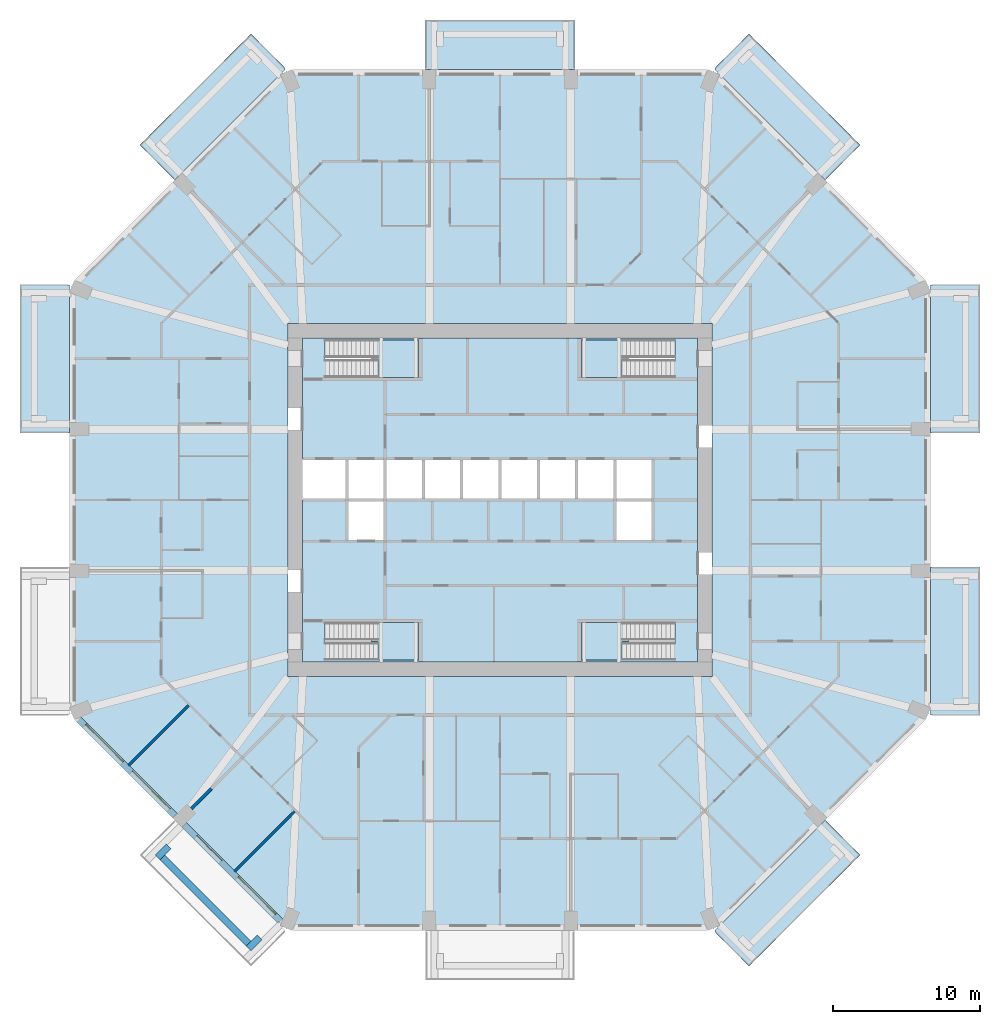
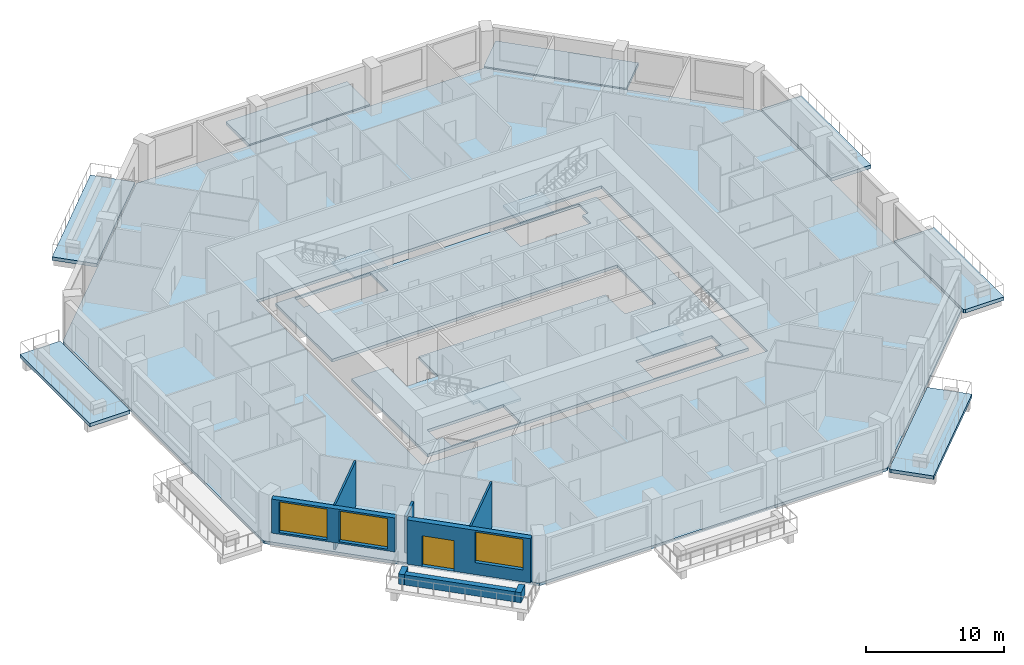
# One storey, part 2 of 13: 13 slabs, 8 walls, 3 windows, 1 door, 4 openings, 4 elements without a shape of their own.
"""IFC4 building model written with IfcOpenShell, lengths in metres."""

from ifc_helpers import new_model, si_unit, direction, frame, frame_2d, origin, place, context, subcontext, project, spatial, polyline, rectangle, outline, extrude, material, layer, layer_set, type_object, element, fill, aggregate, save


model = new_model("IFC4")

# Units and contexts
model_context = context("Model", 3, precision=1e-05, world=origin(), true_north=direction((0.0, 1.0)))
body_context = subcontext(model_context, "Body", "Model", "MODEL_VIEW")
ifc_project = project(units=[si_unit("LENGTHUNIT", "METRE"), si_unit("AREAUNIT", "SQUARE_METRE"), si_unit("VOLUMEUNIT", "CUBIC_METRE"), si_unit("PLANEANGLEUNIT", "RADIAN"), si_unit("MASSUNIT", "GRAM", prefix="KILO")], contexts=[model_context])

# Site, building, storey
site_placement = place(None, origin())
site = spatial("IfcSite", under=ifc_project, at=site_placement, CompositionType="ELEMENT")
building_placement = place(site_placement, origin())
building = spatial("IfcBuilding", under=site, at=building_placement, Name="Msitu Wima Residences", CompositionType="ELEMENT")
storey_placement = place(building_placement, frame((0.0, 0.0, 33.89990234375)))
storey = spatial("IfcBuildingStorey", under=building, at=storey_placement, Name="L07", CompositionType="ELEMENT", Elevation=33.89990234375)

# Slabs
ifc_material_1 = material(Name="Concrete C40/50", Category="concrete")
ifc_layer_1 = layer(ifc_material_1, 0.300048828125)
ifc_layer_set_1 = layer_set([ifc_layer_1], Name="Concrete C40/50")
slab_type_1 = type_object("IfcSlabType", Name="Balcony slab BS300", PredefinedType="FLOOR", material=ifc_layer_set_1)
slab_1_placement = place(storey_placement, frame((0.0, 0.0, -0.2998046875)))
element("IfcSlab", 1, at=slab_1_placement, inside=storey, type_object=slab_type_1, Name="Balcony E0 L07", PredefinedType="FLOOR", context=body_context, shape_type="SweptSolid", body=[
    extrude(outline(polyline([(29.25, -14.099365234375), (29.25, -14.099365234375), (29.25, -5.25), (29.25, -4.550048828125), (32.60009765625, -4.550048828125), (32.60009765625, -14.64990234375), (29.403564453125, -14.64990234375), (29.25, -14.58642578125), (29.25, -14.099365234375), (29.25, -14.099365234375)])), origin(), (0.0, 0.0, 1.0), 0.2998046875),
])
slab_2_placement = place(storey_placement, frame((0.0, 0.0, -0.2998046875)))
element("IfcSlab", 2, at=slab_2_placement, inside=storey, type_object=slab_type_1, Name="Balcony E2 L07", PredefinedType="FLOOR", context=body_context, shape_type="SweptSolid", body=[
    extrude(outline(polyline([(29.25, 14.099365234375), (29.25, 14.099365234375), (29.25, 14.099365234375), (29.25, 14.58642578125), (29.403564453125, 14.64990234375), (32.60009765625, 14.64990234375), (32.60009765625, 4.550048828125), (29.25, 4.550048828125), (29.25, 5.25), (29.25, 14.099365234375)])), origin(), (0.0, 0.0, 1.0), 0.2998046875),
])
slab_3_placement = place(storey_placement, frame((0.0, 0.0, -0.2998046875)))
element("IfcSlab", 3, at=slab_3_placement, inside=storey, type_object=slab_type_1, Name="Balcony NE1 L07", PredefinedType="FLOOR", context=body_context, shape_type="SweptSolid", body=[
    extrude(outline(polyline([(16.91015625, 31.663818359375), (24.4638671875, 24.1103515625), (22.094970703125, 21.741455078125), (14.58642578125, 29.25), (14.64990234375, 29.403564453125), (16.91015625, 31.663818359375)])), origin(), (0.0, 0.0, 1.0), 0.2998046875),
])
slab_4_placement = place(storey_placement, frame((0.0, 0.0, -0.2998046875)))
element("IfcSlab", 4, at=slab_4_placement, inside=storey, type_object=slab_type_1, Name="Balcony N1 L07", PredefinedType="FLOOR", context=body_context, shape_type="SweptSolid", body=[
    extrude(outline(polyline([(4.35009765625, 29.25), (-4.35009765625, 29.25), (-5.050048828125, 29.25), (-5.050048828125, 32.60009765625), (5.050048828125, 32.60009765625), (5.050048828125, 29.25), (4.35009765625, 29.25)])), origin(), (0.0, 0.0, 1.0), 0.2998046875),
])
slab_5_placement = place(storey_placement, frame((0.0, 0.0, -0.2998046875)))
element("IfcSlab", 5, at=slab_5_placement, inside=storey, type_object=slab_type_1, Name="Balcony NW0 L07", PredefinedType="FLOOR", context=body_context, shape_type="SweptSolid", body=[
    extrude(outline(polyline([(-24.4638671875, 24.1103515625), (-16.91015625, 31.663818359375), (-14.64990234375, 29.403564453125), (-14.58642578125, 29.25), (-22.094970703125, 21.741455078125), (-24.4638671875, 24.1103515625)])), origin(), (0.0, 0.0, 1.0), 0.2998046875),
])
slab_6_placement = place(storey_placement, frame((0.0, 0.0, -0.2998046875)))
element("IfcSlab", 6, at=slab_6_placement, inside=storey, type_object=slab_type_1, Name="Balcony W0 L07", PredefinedType="FLOOR", context=body_context, shape_type="SweptSolid", body=[
    extrude(outline(polyline([(-29.25, 14.099365234375), (-29.25, 14.099365234375), (-29.25, 5.25), (-29.25, 4.550048828125), (-32.60009765625, 4.550048828125), (-32.60009765625, 14.64990234375), (-29.403564453125, 14.64990234375), (-29.25, 14.58642578125), (-29.25, 14.099365234375), (-29.25, 14.099365234375)])), origin(), (0.0, 0.0, 1.0), 0.2998046875),
])
slab_7_placement = place(storey_placement, frame((0.0, 0.0, -0.2998046875)))
element("IfcSlab", 7, at=slab_7_placement, inside=storey, type_object=slab_type_1, Name="Balcony SE0 L07", PredefinedType="FLOOR", context=body_context, shape_type="SweptSolid", body=[
    extrude(outline(polyline([(24.4638671875, -24.1103515625), (16.91015625, -31.663818359375), (14.64990234375, -29.403564453125), (14.58642578125, -29.25), (22.094970703125, -21.741455078125), (24.4638671875, -24.1103515625)])), origin(), (0.0, 0.0, 1.0), 0.2998046875),
])
ifc_layer_2 = layer(ifc_material_1, 0.25)
ifc_layer_set_2 = layer_set([ifc_layer_2], Name="Concrete C40/50")
slab_type_2 = type_object("IfcSlabType", Name="Core floor CF250", PredefinedType="FLOOR", material=ifc_layer_set_2)
slab_8_placement = place(storey_placement, frame((0.0, 0.0, -0.25)))
element("IfcSlab", 8, at=slab_8_placement, inside=storey, type_object=slab_type_2, Name="Core floor", PredefinedType="FLOOR", context=body_context, shape_type="SweptSolid", body=[
    extrude(outline(polyline([(-13.39990234375, 11.0), (-13.39990234375, 2.800048828125), (-10.39990234375, 2.800048828125), (-7.800048828125, 2.800048828125), (-5.199951171875, 2.800048828125), (-2.60009765625, 2.800048828125), (0.0, 2.800048828125), (2.60009765625, 2.800048828125), (5.199951171875, 2.800048828125), (7.800048828125, 2.800048828125), (10.39990234375, 2.800048828125), (10.39990234375, 0.0), (10.39990234375, -2.800048828125), (7.800048828125, -2.800048828125), (7.800048828125, 0.0), (5.199951171875, 0.0), (2.60009765625, 0.0), (0.0, 0.0), (-2.60009765625, 0.0), (-5.199951171875, 0.0), (-7.800048828125, 0.0), (-7.800048828125, -2.800048828125), (-10.39990234375, -2.800048828125), (-10.39990234375, 0.0), (-13.39990234375, 0.0), (-13.39990234375, -11.0), (13.39990234375, -11.0), (13.39990234375, 11.0), (-13.39990234375, 11.0)]), holes=[polyline([(-11.375, -10.875), (-11.375, -9.675048828125), (-11.87451171875, -9.675048828125), (-11.87451171875, -8.324951171875), (-5.52490234375, -8.324951171875), (-5.52490234375, -10.875), (-11.375, -10.875)]), polyline([(-11.375, 9.52490234375), (-11.87451171875, 9.52490234375), (-11.87451171875, 10.875), (-5.52490234375, 10.875), (-5.52490234375, 8.324951171875), (-11.375, 8.324951171875), (-11.375, 9.52490234375)]), polyline([(11.375, -9.675048828125), (11.375, -10.875), (5.52490234375, -10.875), (5.52490234375, -8.324951171875), (11.87451171875, -8.324951171875), (11.87451171875, -9.675048828125), (11.375, -9.675048828125)]), polyline([(11.375, 9.52490234375), (11.375, 8.324951171875), (5.52490234375, 8.324951171875), (5.52490234375, 10.875), (11.87451171875, 10.875), (11.87451171875, 9.52490234375), (11.375, 9.52490234375)])]), origin(), (0.0, 0.0, 1.0), 0.25),
])
ifc_layer_3 = layer(ifc_material_1, 0.25)
ifc_layer_set_3 = layer_set([ifc_layer_3], Name="Concrete C40/50")
slab_type_3 = type_object("IfcSlabType", Name="PT flat slab 250 Concrete C40/50", PredefinedType="FLOOR", material=ifc_layer_set_3)
slab_9_placement = place(storey_placement, frame((0.0, 0.0, -0.25)))
element("IfcSlab", 9, at=slab_9_placement, inside=storey, type_object=slab_type_3, Name="Floor slab L07", PredefinedType="FLOOR", context=body_context, shape_type="SweptSolid", body=[
    extrude(outline(polyline([(29.10009765625, -14.524169921875), (14.524169921875, -29.10009765625), (-14.524169921875, -29.10009765625), (-29.10009765625, -14.524169921875), (-29.10009765625, 14.524169921875), (-14.524169921875, 29.10009765625), (14.524169921875, 29.10009765625), (29.10009765625, 14.524169921875), (29.10009765625, -14.524169921875)]), holes=[polyline([(-14.39990234375, -12.0), (14.39990234375, -12.0), (14.39990234375, 12.0), (-14.39990234375, 12.0), (-14.39990234375, -12.0)])]), origin(), (0.0, 0.0, 1.0), 0.25),
])

# Stair, slab
stair_type = type_object("IfcStairType", Name="Exit stair ES1615-120", PredefinedType="HALF_TURN_STAIR", material=ifc_material_1)
stair_1_placement = place(storey_placement, origin())
stair_1 = element("IfcStair", 10, at=stair_1_placement, inside=storey, type_object=stair_type, Name="Exit stair 1", PredefinedType="HALF_TURN_STAIR")
ifc_layer_4 = layer(ifc_material_1, 0.199951171875)
ifc_layer_set_4 = layer_set([ifc_layer_4], Name="Concrete C40/50")
slab_type_4 = type_object("IfcSlabType", Name="Stair landing SL200", PredefinedType="LANDING", material=ifc_layer_set_4)
slab_10_placement = place(storey_placement, frame((0.0, 0.0, 1.900146484375)))
slab_10 = element("IfcSlab", 11, at=slab_10_placement, type_object=slab_type_4, Name="S1 landing 1", PredefinedType="LANDING", context=body_context, shape_type="SweptSolid", body=[
    extrude(outline(polyline([(-5.52490234375, 8.324951171875), (-8.275390625, 8.324951171875), (-8.275390625, 9.60009765625), (-8.77490234375, 9.60009765625), (-8.77490234375, 10.875), (-5.52490234375, 10.875), (-5.52490234375, 8.324951171875)])), origin(), (0.0, 0.0, 1.0), 0.199951171875),
])
aggregate(stair_1, [slab_10])

stair_2_placement = place(storey_placement, origin())
stair_2 = element("IfcStair", 12, at=stair_2_placement, inside=storey, type_object=stair_type, Name="Exit stair 2", PredefinedType="HALF_TURN_STAIR")
slab_11_placement = place(storey_placement, frame((0.0, 0.0, 1.900146484375)))
slab_11 = element("IfcSlab", 13, at=slab_11_placement, type_object=slab_type_4, Name="S2 landing 1", PredefinedType="LANDING", context=body_context, shape_type="SweptSolid", body=[
    extrude(outline(polyline([(-5.52490234375, -10.875), (-8.275390625, -10.875), (-8.275390625, -9.60009765625), (-8.77490234375, -9.60009765625), (-8.77490234375, -8.324951171875), (-5.52490234375, -8.324951171875), (-5.52490234375, -10.875)])), origin(), (0.0, 0.0, 1.0), 0.199951171875),
])
aggregate(stair_2, [slab_11])

stair_3_placement = place(storey_placement, origin())
stair_3 = element("IfcStair", 14, at=stair_3_placement, inside=storey, type_object=stair_type, Name="Exit stair 3", PredefinedType="HALF_TURN_STAIR")
slab_12_placement = place(storey_placement, frame((0.0, 0.0, 1.900146484375)))
slab_12 = element("IfcSlab", 15, at=slab_12_placement, type_object=slab_type_4, Name="S3 landing 1", PredefinedType="LANDING", context=body_context, shape_type="SweptSolid", body=[
    extrude(outline(polyline([(5.52490234375, 8.324951171875), (8.275390625, 8.324951171875), (8.275390625, 9.60009765625), (8.77490234375, 9.60009765625), (8.77490234375, 10.875), (5.52490234375, 10.875), (5.52490234375, 8.324951171875)])), origin(), (0.0, 0.0, 1.0), 0.199951171875),
])
aggregate(stair_3, [slab_12])

stair_4_placement = place(storey_placement, origin())
stair_4 = element("IfcStair", 16, at=stair_4_placement, inside=storey, type_object=stair_type, Name="Exit stair 4", PredefinedType="HALF_TURN_STAIR")
slab_13_placement = place(storey_placement, frame((0.0, 0.0, 1.900146484375)))
slab_13 = element("IfcSlab", 17, at=slab_13_placement, type_object=slab_type_4, Name="S4 landing 1", PredefinedType="LANDING", context=body_context, shape_type="SweptSolid", body=[
    extrude(outline(polyline([(5.52490234375, -10.875), (8.275390625, -10.875), (8.275390625, -9.60009765625), (8.77490234375, -9.60009765625), (8.77490234375, -8.324951171875), (5.52490234375, -8.324951171875), (5.52490234375, -10.875)])), origin(), (0.0, 0.0, 1.0), 0.199951171875),
])
aggregate(stair_4, [slab_13])

# Walls
ifc_material_2 = material(Name="Facing brick")
ifc_layer_5 = layer(ifc_material_2, 0.06494140625, Name="Facing brick")
ifc_layer_6 = layer(ifc_material_1, 0.156005859375, Name="Concrete C40/50")
ifc_material_3 = material(Name="Waterproofing membrane")
ifc_layer_7 = layer(ifc_material_3, 0.00390625, Name="Waterproofing membrane")
ifc_material_4 = material(Name="Planting soil and planting")
ifc_layer_8 = layer(ifc_material_4, 0.22509765625, Name="Planting soil and planting")
ifc_layer_set_5 = layer_set([ifc_layer_5, ifc_layer_6, ifc_layer_7, ifc_layer_8], Name="Concrete C40/50")
wall_type_1 = type_object("IfcWallType", Name="Balcony planter PLANTER PL450", PredefinedType="USERDEFINED", material=ifc_layer_set_5)
wall_1_placement = place(storey_placement, frame((-22.92578125, -24.269287109375, 0.0), z_axis=(0.0, 0.0, 1.0), x_axis=(0.707106781187, -0.707106781187, 0.0)))
element("IfcWall", 18, at=wall_1_placement, inside=storey, type_object=wall_type_1, Name="Balcony planter SW1 L07", ObjectType="PLANTER", PredefinedType="USERDEFINED", context=body_context, shape_type="SweptSolid", body=[
    extrude(rectangle(XDim=8.2822265625, YDim=0.449951171875, at=frame_2d((4.14111328125, 0.0))), origin(), (0.0, 0.0, 1.0), 0.900146484375),
])
for number, where, z_axis, x_axis, name in (
    (19, (-22.50146484375, -23.52685546875, 0.0), (0.0, 0.0, 1.0), (-0.707223014731, -0.706990528533, 0.0), "Balcony planter SW1 L07"),
    (20, (-16.326904296875, -29.70166015625, 0.0), (0.0, 0.0, 1.0), (-0.707106781187, -0.707106781187, 0.0), "Balcony planter SW1 L07"),
):
    element("IfcWall", number, at=place(storey_placement, frame(where, z_axis=z_axis, x_axis=x_axis)), inside=storey, type_object=wall_type_1, Name=name, ObjectType="PLANTER", PredefinedType="USERDEFINED", context=body_context, shape_type="SweptSolid", body=[
        extrude(rectangle(XDim=1.050048828125, YDim=0.449951171875, at=frame_2d((0.52490234375, 0.0))), origin(), (0.0, 0.0, 1.0), 0.900146484375),
    ])

# Wall, openings, windows
ifc_material_5 = material(Name="Brick (red buff mix)", Category="masonry")
ifc_layer_9 = layer(ifc_material_5, 0.449951171875)
ifc_layer_set_6 = layer_set([ifc_layer_9], Name="Brick (red buff mix)")
wall_type_2 = type_object("IfcWallType", Name="Brick infill wall BW450", PredefinedType="SOLIDWALL", material=ifc_layer_set_6)
wall_2_placement = place(storey_placement, frame((-28.61474609375, -14.903564453125, 0.900146484375), z_axis=(0.0, 0.0, 1.0), x_axis=(0.707106781187, -0.707106781187, 0.0)))
wall_2 = element("IfcWall", 21, at=wall_2_placement, inside=storey, type_object=wall_type_2, Name="Brick infill wall L07 SW0", PredefinedType="SOLIDWALL", context=body_context, shape_type="SweptSolid", body=[
    extrude(rectangle(XDim=9.2451171875, YDim=0.449951171875, at=frame_2d((4.62255859375, 0.0))), origin(), (0.0, 0.0, 1.0), 3.0),
])
opening_1_placement = place(wall_2_placement, frame((0.572509765625, 0.0, 0.14990234375)))
opening_1 = element("IfcOpeningElement", 22, at=opening_1_placement, cuts=wall_2, Name="Opening W05-07.024", PredefinedType="OPENING", context=body_context, shape_type="SweptSolid", body=[
    extrude(rectangle(XDim=3.60009765625, YDim=2.699951171875, at=frame_2d((1.800048828125, 1.35009765625))), frame((0.0, 0.23486328125, 0.0), z_axis=(0.0, -1.0, 0.0), x_axis=(1.0, 0.0, 0.0)), (0.0, 0.0, 1.0), 0.469970703125),
])
opening_2_placement = place(wall_2_placement, frame((5.072509765625, 0.0, 0.14990234375)))
opening_2 = element("IfcOpeningElement", 23, at=opening_2_placement, cuts=wall_2, Name="Opening W05-07.025", PredefinedType="OPENING", context=body_context, shape_type="SweptSolid", body=[
    extrude(rectangle(XDim=3.60009765625, YDim=2.699951171875, at=frame_2d((1.800048828125, 1.35009765625))), frame((0.0, 0.23486328125, 0.0), z_axis=(0.0, -1.0, 0.0), x_axis=(1.0, 0.0, 0.0)), (0.0, 0.0, 1.0), 0.469970703125),
])
ifc_material_6 = material(Name="Anodised aluminium, bronze finish, clear low-emissivity double glazing", Category="aluminium")
window_type = type_object("IfcWindowType", Name="Window W3600x2700", PartitioningType="DOUBLE_PANEL_VERTICAL", PredefinedType="WINDOW", material=ifc_material_6)
window_1_placement = place(opening_1_placement, origin())
window_1 = element("IfcWindow", 24, at=window_1_placement, inside=storey, type_object=window_type, Name="Window L07 SW0.1", OverallHeight=2.699951171875, OverallWidth=3.60009765625, PartitioningType="SINGLE_PANEL", PredefinedType="WINDOW", context=body_context, shape_type="SweptSolid", body=[
    extrude(rectangle(XDim=3.60009765625, YDim=2.699951171875, at=frame_2d((1.800048828125, 1.35009765625))), frame((0.0, 0.135009765625, 0.0), z_axis=(0.0, -1.0, 0.0), x_axis=(1.0, 0.0, 0.0)), (0.0, 0.0, 1.0), 0.06005859375),
])
fill(opening_1, window_1)
window_2_placement = place(opening_2_placement, origin())
window_2 = element("IfcWindow", 25, at=window_2_placement, inside=storey, type_object=window_type, Name="Window L07 SW0.2", OverallHeight=2.699951171875, OverallWidth=3.60009765625, PartitioningType="SINGLE_PANEL", PredefinedType="WINDOW", context=body_context, shape_type="SweptSolid", body=[
    extrude(rectangle(XDim=3.60009765625, YDim=2.699951171875, at=frame_2d((1.800048828125, 1.35009765625))), frame((0.0, 0.135009765625, 0.0), z_axis=(0.0, -1.0, 0.0), x_axis=(1.0, 0.0, 0.0)), (0.0, 0.0, 1.0), 0.06005859375),
])
fill(opening_2, window_2)

# Wall, openings, door, window
wall_3_placement = place(storey_placement, frame((-21.44091796875, -22.077392578125, 0.0), z_axis=(0.0, 0.0, 1.0), x_axis=(0.707106781187, -0.707106781187, 0.0)))
wall_3 = element("IfcWall", 26, at=wall_3_placement, inside=storey, type_object=wall_type_2, Name="Brick infill wall L07 SW1", PredefinedType="SOLIDWALL", context=body_context, shape_type="SweptSolid", body=[
    extrude(rectangle(XDim=9.2451171875, YDim=0.449951171875, at=frame_2d((4.62255859375, 0.0))), origin(), (0.0, 0.0, 1.0), 3.900146484375),
])
opening_3_placement = place(wall_3_placement, frame((1.111328125, 0.0, 0.0)))
opening_3 = element("IfcOpeningElement", 27, at=opening_3_placement, cuts=wall_3, Name="Opening D05-07.008", PredefinedType="OPENING", context=body_context, shape_type="SweptSolid", body=[
    extrude(rectangle(XDim=2.39990234375, YDim=2.699951171875, at=frame_2d((1.199951171875, 1.35009765625))), frame((0.0, 0.23486328125, 0.0), z_axis=(0.0, -1.0, 0.0), x_axis=(1.0, 0.0, 0.0)), (0.0, 0.0, 1.0), 0.469970703125),
])
opening_4_placement = place(wall_3_placement, frame((5.072509765625, 0.0, 1.050048828125)))
opening_4 = element("IfcOpeningElement", 28, at=opening_4_placement, cuts=wall_3, Name="Opening W05-07.026", PredefinedType="OPENING", context=body_context, shape_type="SweptSolid", body=[
    extrude(rectangle(XDim=3.60009765625, YDim=2.699951171875, at=frame_2d((1.800048828125, 1.35009765625))), frame((0.0, 0.23486328125, 0.0), z_axis=(0.0, -1.0, 0.0), x_axis=(1.0, 0.0, 0.0)), (0.0, 0.0, 1.0), 0.469970703125),
])
door_type = type_object("IfcDoorType", Name="Balcony door D2400x2700", OperationType="SLIDING_TO_LEFT", PredefinedType="DOOR", material=ifc_material_6)
door_placement = place(opening_3_placement, origin())
door = element("IfcDoor", 29, at=door_placement, inside=storey, type_object=door_type, Name="Balcony door L07 SW1", OperationType="SINGLE_SWING_LEFT", OverallHeight=2.699951171875, OverallWidth=2.39990234375, PredefinedType="DOOR", context=body_context, shape_type="SweptSolid", body=[
    extrude(rectangle(XDim=2.39990234375, YDim=2.699951171875, at=frame_2d((1.199951171875, 1.35009765625))), frame((0.0, 0.1298828125, 0.0), z_axis=(0.0, -1.0, 0.0), x_axis=(1.0, 0.0, 0.0)), (0.0, 0.0, 1.0), 0.050048828125),
])
fill(opening_3, door)
window_3_placement = place(opening_4_placement, origin())
window_3 = element("IfcWindow", 30, at=window_3_placement, inside=storey, type_object=window_type, Name="Window L07 SW1.2", OverallHeight=2.699951171875, OverallWidth=3.60009765625, PartitioningType="SINGLE_PANEL", PredefinedType="WINDOW", context=body_context, shape_type="SweptSolid", body=[
    extrude(rectangle(XDim=3.60009765625, YDim=2.699951171875, at=frame_2d((1.800048828125, 1.35009765625))), frame((0.0, 0.135009765625, 0.0), z_axis=(0.0, -1.0, 0.0), x_axis=(1.0, 0.0, 0.0)), (0.0, 0.0, 1.0), 0.06005859375),
])
fill(opening_4, window_3)

# Walls
ifc_material_7 = material(Name="Plaster")
ifc_layer_10 = layer(ifc_material_7, 0.011962890625, Name="Plaster")
ifc_material_8 = material(Name="Concrete blockwork", Category="masonry")
ifc_layer_11 = layer(ifc_material_8, 0.1259765625, Name="Concrete blockwork")
ifc_layer_12 = layer(ifc_material_7, 0.011962890625, Name="Plaster")
ifc_layer_set_7 = layer_set([ifc_layer_10, ifc_layer_11, ifc_layer_12], Name="Concrete blockwork")
wall_type_3 = type_object("IfcWallType", Name="Partition PW150", PredefinedType="PARTITIONING", material=ifc_layer_set_7)
for number, where, z_axis, x_axis, name in (
    (31, (-25.23876953125, -18.038818359375, 0.0), (0.0, 0.0, 1.0), (0.707106781187, 0.707106781187, 0.0), "Partition"),
    (32, (-18.038818359375, -25.23876953125, 0.0), (0.0, 0.0, 1.0), (0.707106781187, 0.707106781187, 0.0), "Partition"),
):
    element("IfcWall", number, at=place(storey_placement, frame(where, z_axis=z_axis, x_axis=x_axis)), inside=storey, type_object=wall_type_3, Name=name, PredefinedType="PARTITIONING", context=body_context, shape_type="SweptSolid", body=[
        extrude(rectangle(XDim=5.77978515625, YDim=0.14990234375, at=frame_2d((2.889892578125, 0.0))), origin(), (0.0, 0.0, 1.0), 3.9501953125),
    ])
ifc_layer_13 = layer(ifc_material_7, 0.011962890625, Name="Plaster")
ifc_material_9 = material(Name="Dense concrete blockwork", Category="masonry")
ifc_layer_14 = layer(ifc_material_9, 0.176025390625, Name="Dense concrete blockwork")
ifc_layer_15 = layer(ifc_material_7, 0.011962890625, Name="Plaster")
ifc_layer_set_8 = layer_set([ifc_layer_13, ifc_layer_14, ifc_layer_15], Name="Dense concrete blockwork")
wall_type_4 = type_object("IfcWallType", Name="Party wall PW200", PredefinedType="PARTITIONING", material=ifc_layer_set_8)
wall_4_placement = place(storey_placement, frame((-20.963623046875, -20.963623046875, 0.0), z_axis=(0.0, 0.0, 1.0), x_axis=(0.707106781187, 0.707106781187, 0.0)))
element("IfcWall", 33, at=wall_4_placement, inside=storey, type_object=wall_type_4, Name="Party wall", PredefinedType="PARTITIONING", context=body_context, shape_type="SweptSolid", body=[
    extrude(rectangle(XDim=1.92041015625, YDim=0.199951171875, at=frame_2d((0.960205078125, 0.0))), origin(), (0.0, 0.0, 1.0), 3.25),
])

save(model, "model.ifc")
